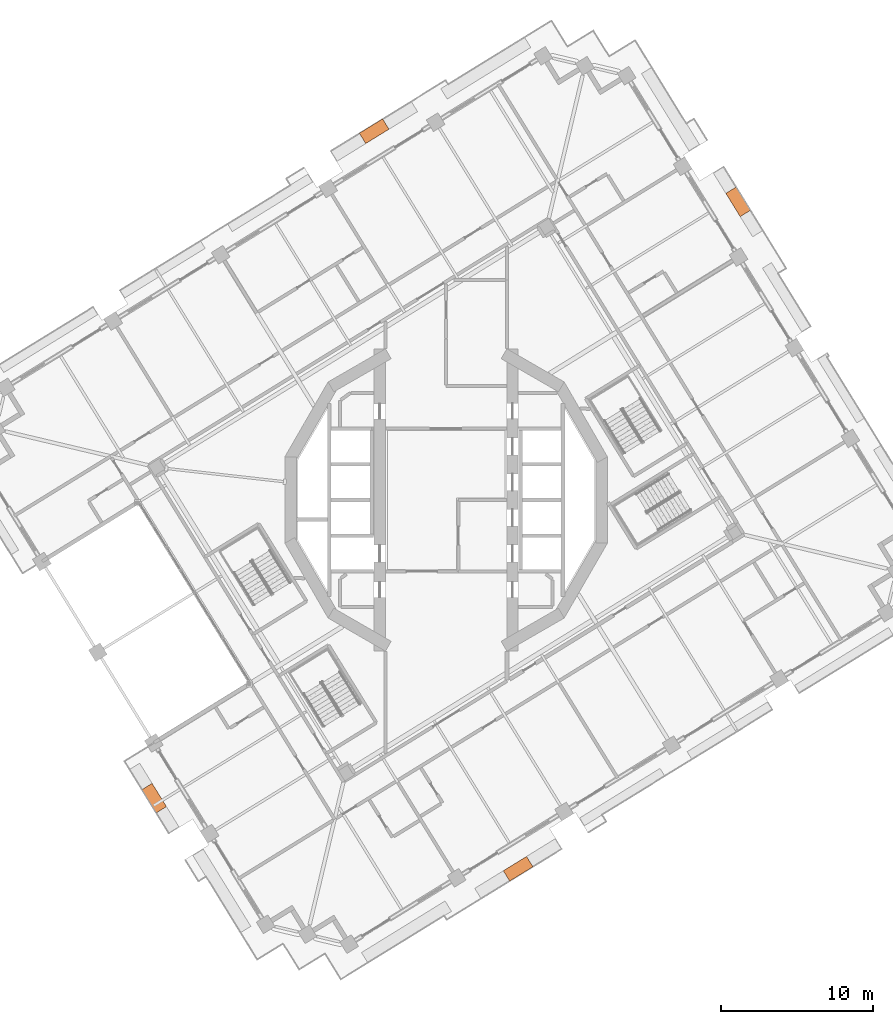
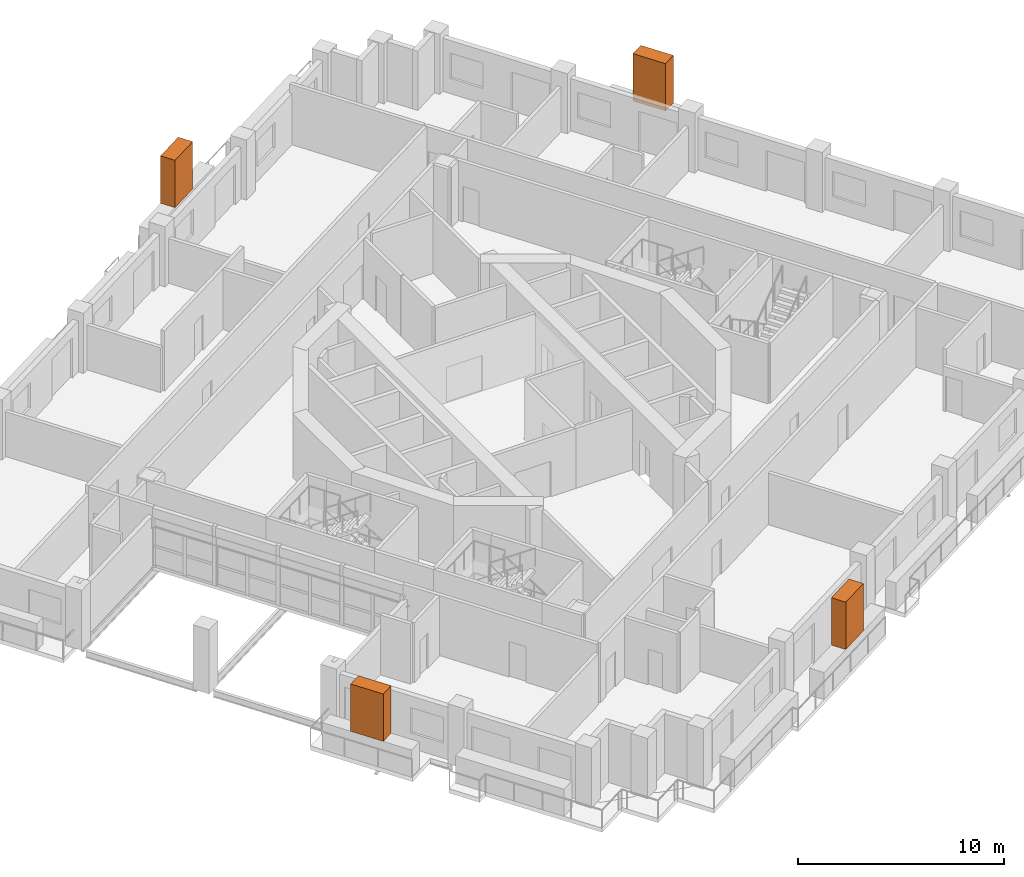
# One storey, part 20 of 20: 4 proxies.
"""IFC4 building model written with IfcOpenShell, lengths in metres."""

from ifc_helpers import new_model, si_unit, direction, frame, origin, origin_2d, place, context, subcontext, project, spatial, rectangle, extrude, element, save


model = new_model("IFC4")

# Units and contexts
model_context = context("Model", 3, precision=1e-05, world=origin(), true_north=direction((0.0, 1.0)))
body_context = subcontext(model_context, "Body", "Model", "MODEL_VIEW")
ifc_project = project(units=[si_unit("LENGTHUNIT", "METRE"), si_unit("AREAUNIT", "SQUARE_METRE"), si_unit("VOLUMEUNIT", "CUBIC_METRE"), si_unit("PLANEANGLEUNIT", "RADIAN"), si_unit("MASSUNIT", "GRAM", prefix="KILO")], contexts=[model_context])

# Site, building, storey
site_placement = place(None, origin())
site = spatial("IfcSite", under=ifc_project, at=site_placement, CompositionType="ELEMENT")
building_placement = place(site_placement, origin())
building = spatial("IfcBuilding", under=site, at=building_placement, Name="Cantera Rosa Tower", CompositionType="ELEMENT")
storey_placement = place(building_placement, frame((0.0, 0.0, 155.199951171875)))
storey = spatial("IfcBuildingStorey", under=building, at=storey_placement, Name="L33", CompositionType="ELEMENT", Elevation=155.199951171875)

# Proxies
for number, where, z_axis, x_axis, name in (
    (1, (19.24267578125, 19.64697265625, 1.60009765625), (0.0, 0.0, 1.0), (-0.52497658034, 0.851116672434, 0.0), "TREE L33-04"),
    (2, (-4.7421875, 24.29833984375, 1.60009765625), (0.0, 0.0, 1.0), (-0.851116672434, -0.52497658034, 0.0), "TREE L33-07"),
    (3, (-19.24267578125, -19.64697265625, 1.60009765625), (0.0, 0.0, 1.0), (0.52497658034, -0.851116672434, 0.0), "TREE L33-14"),
    (4, (4.7421875, -24.29833984375, 1.60009765625), (0.0, 0.0, 1.0), (0.851116672434, 0.52497658034, 0.0), "TREE L33-17"),
):
    element("IfcBuildingElementProxy", number, at=place(storey_placement, frame(where, z_axis=z_axis, x_axis=x_axis)), inside=storey, Name=name, ObjectType="TREE", PredefinedType="USERDEFINED", context=body_context, shape_type="SweptSolid", body=[
        extrude(rectangle(XDim=1.800048828125, YDim=0.800048828125, at=origin_2d()), origin(), (0.0, 0.0, 1.0), 2.800048828125),
    ])

save(model, "model.ifc")
